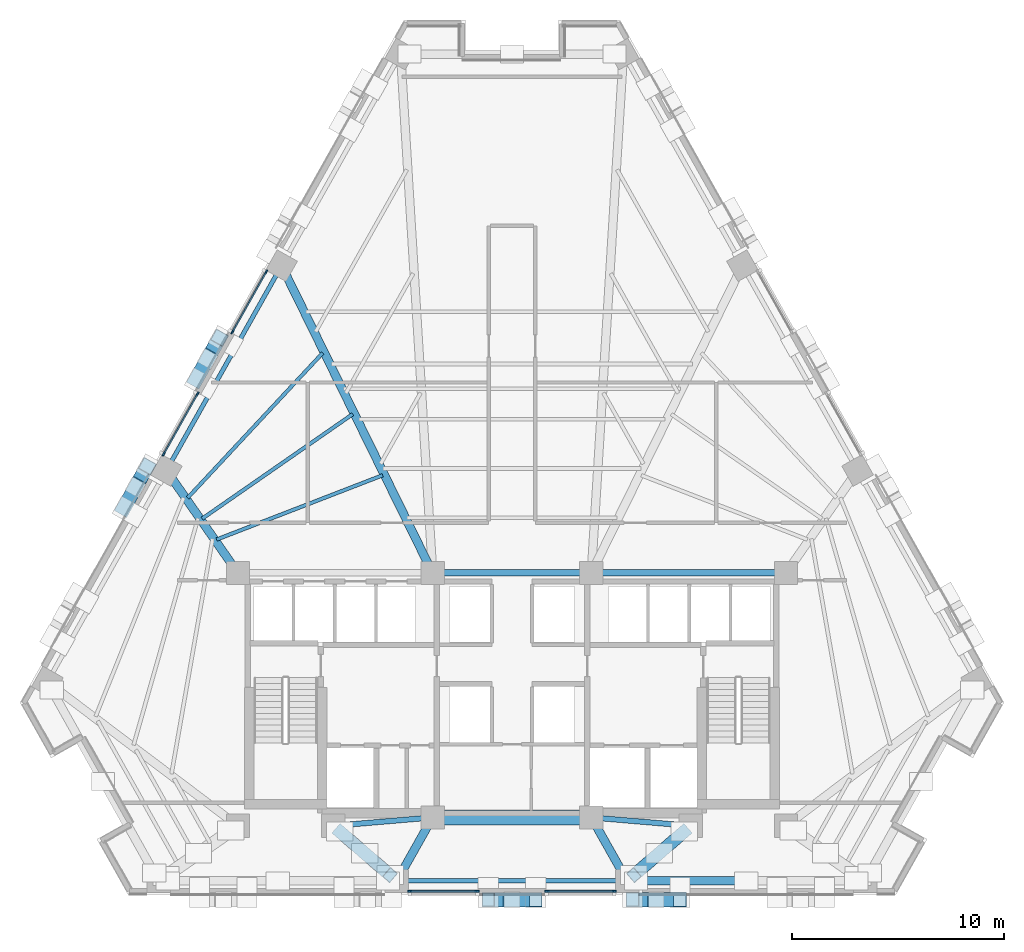
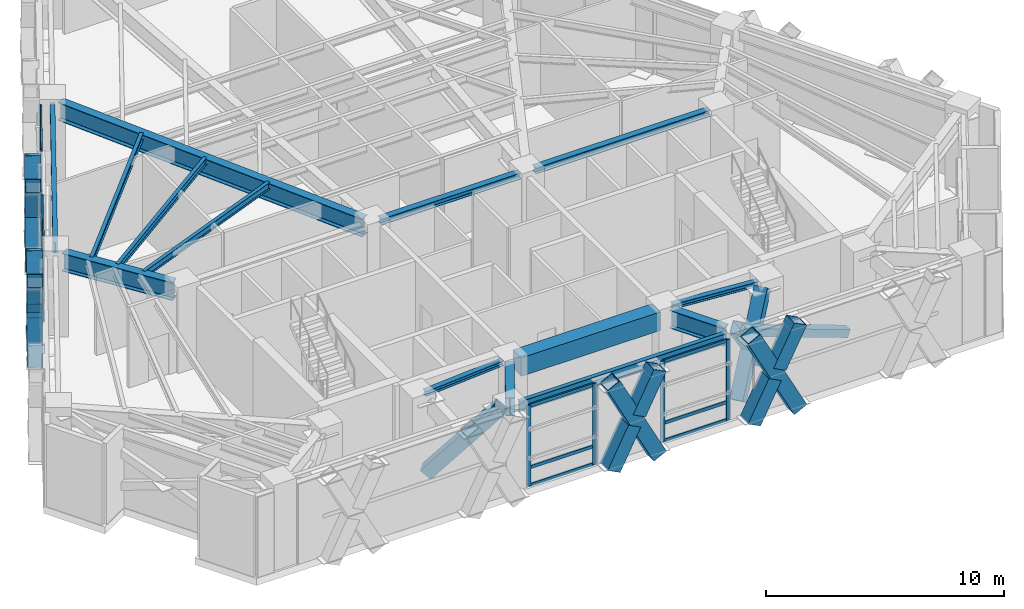
# One storey, part 2 of 12: 37 members, 14 beams, 4 elements without a shape of their own.
"""IFC4 building model written with IfcOpenShell, lengths in metres."""

import ifcopenshell
import ifcopenshell.guid

model = None  # the IFC model being written
_history = None  # IfcOwnerHistory: only IFC2X3 demands one
_inside = {}  # id of a spatial element -> (the spatial element, [elements in it])
_under = {}  # id of a project, library or spatial element -> (it, [spatial elements below it])
_declared = {}  # id of a project -> (the project, [libraries it declares])
_typed = {}  # id of a type object -> (the type object, [elements of that type])
_made_of = {}  # id of a material, layer set ... -> (it, [elements and type objects made of it])


def new_model(schema):
    """Start an empty IFC model of exactly this schema.

    Asked for "IFC4X3", IfcOpenShell would pick the latest addendum, in which some entities
    have other attributes; the version numbers below select the first issue.
    IFC2X3 requires an IfcOwnerHistory on every rooted entity: one is made here for all.
    """
    global model, _history
    if schema == "IFC4X3":
        model = ifcopenshell.file(schema_version=(4, 3, 0, 0))
    else:
        model = ifcopenshell.file(schema=schema)
    _inside.clear()
    _under.clear()
    _declared.clear()
    _typed.clear()
    _made_of.clear()
    _history = None
    if model.schema == "IFC2X3":
        org = make("IfcOrganization", Name="unknown")
        user = make(
            "IfcPersonAndOrganization",
            ThePerson=make("IfcPerson", FamilyName="unknown"),
            TheOrganization=org,
        )
        app = make(
            "IfcApplication",
            ApplicationDeveloper=org,
            Version="unknown",
            ApplicationFullName="unknown",
            ApplicationIdentifier="unknown",
        )
        _history = make(
            "IfcOwnerHistory",
            OwningUser=user,
            OwningApplication=app,
            ChangeAction="ADDED",
            CreationDate=0,
        )
    return model


def make(cls, **values):
    """One entity of the class cls with the attributes given. An attribute that is None is left unset."""
    return model.create_entity(
        cls, **{name: value for name, value in values.items() if value is not None}
    )


def rooted(cls, **values):
    """An entity with a GlobalId (a new one), such as an element, a storey or a relation."""
    return make(cls, GlobalId=ifcopenshell.guid.new(), OwnerHistory=_history, **values)


def si_unit(unit_type, name, prefix=None):
    """IfcSIUnit, for example si_unit("LENGTHUNIT", "METRE", prefix="MILLI")."""
    return make("IfcSIUnit", UnitType=unit_type, Prefix=prefix, Name=name)


def assignment(units):
    """IfcUnitAssignment: the units of a project."""
    return None if units is None else make("IfcUnitAssignment", Units=units)


def point(xyz):
    """IfcCartesianPoint."""
    return None if xyz is None else make("IfcCartesianPoint", Coordinates=xyz)


def direction(xyz):
    """IfcDirection."""
    return None if xyz is None else make("IfcDirection", DirectionRatios=xyz)


def frame(location, z_axis=None, x_axis=None):
    """IfcAxis2Placement3D, a coordinate frame: its origin and axes. An axis left out is left unset."""
    return make(
        "IfcAxis2Placement3D",
        Location=point(location),
        Axis=direction(z_axis),
        RefDirection=direction(x_axis),
    )


def frame_2d(location, x_axis=None):
    """IfcAxis2Placement2D, a coordinate frame in the plane: its origin and x axis."""
    return make(
        "IfcAxis2Placement2D", Location=point(location), RefDirection=direction(x_axis)
    )


def origin():
    """The frame at (0, 0, 0) with its axes left unset."""
    return frame((0.0, 0.0, 0.0))


def origin_2d():
    """The frame at (0, 0) in the plane with its x axis left unset."""
    return frame_2d((0.0, 0.0))


def place(relative_to, where):
    """IfcLocalPlacement: puts the frame where relative to a parent placement (None: the world)."""
    return make(
        "IfcLocalPlacement", PlacementRelTo=relative_to, RelativePlacement=where
    )


def context(
    kind, dimensions, precision=None, world=None, true_north=None, identifier=None
):
    """IfcGeometricRepresentationContext, for example the 3D "Model" context."""
    return make(
        "IfcGeometricRepresentationContext",
        ContextIdentifier=identifier,
        ContextType=kind,
        CoordinateSpaceDimension=dimensions,
        Precision=precision,
        WorldCoordinateSystem=world,
        TrueNorth=true_north,
    )


def subcontext(parent, identifier, kind, view, scale=None):
    """IfcGeometricRepresentationSubContext, for example "Body" below "Model"."""
    return make(
        "IfcGeometricRepresentationSubContext",
        ContextIdentifier=identifier,
        ContextType=kind,
        ParentContext=parent,
        TargetScale=scale,
        TargetView=view,
    )


def project(units=None, contexts=None):
    """IfcProject with its units and contexts."""
    return rooted(
        "IfcProject",
        Name="project",
        RepresentationContexts=contexts,
        UnitsInContext=assignment(units),
    )


def spatial(cls, under=None, at=None, **own):
    """A site, building, storey or space (cls), placed at a placement, below another one or the project."""
    s = rooted(cls, ObjectPlacement=at, **own)
    if under is not None:
        _under.setdefault(under.id(), (under, []))[1].append(s)
    return s


def profile(cls, at=None, kind="AREA", **sizes):
    """A parametric profile (cls). Its sizes go by their IFC names, for example OverallWidth=200.0."""
    return make(cls, ProfileType=kind, Position=at, **sizes)


def rectangle(**sizes):
    """IfcRectangleProfileDef."""
    return profile("IfcRectangleProfileDef", **sizes)


def hollow_rectangle(**sizes):
    """IfcRectangleHollowProfileDef."""
    return profile("IfcRectangleHollowProfileDef", **sizes)


def i_section(**sizes):
    """IfcIShapeProfileDef."""
    return profile("IfcIShapeProfileDef", **sizes)


def extrude(swept, where, along, depth):
    """IfcExtrudedAreaSolid: the profile swept, set in the frame where, extruded along a direction by depth."""
    return make(
        "IfcExtrudedAreaSolid",
        SweptArea=swept,
        Position=where,
        ExtrudedDirection=direction(along),
        Depth=depth,
    )


def shape(context_of_items, identifier, shape_type, items):
    """IfcShapeRepresentation: the items that make up one representation, for example the "Body"."""
    return make(
        "IfcShapeRepresentation",
        ContextOfItems=context_of_items,
        RepresentationIdentifier=identifier,
        RepresentationType=shape_type,
        Items=items,
    )


def material(Name=None, Category=None):
    """IfcMaterial."""
    return make("IfcMaterial", Name=Name, Category=Category)


def material_profile(
    of_material, cross_section, Name=None, Category=None, Priority=None
):
    """IfcMaterialProfile: a cross section and its material."""
    return make(
        "IfcMaterialProfile",
        Name=Name,
        Material=of_material,
        Profile=cross_section,
        Priority=Priority,
        Category=Category,
    )


def profile_set(profiles, Name=None, composite=None):
    """IfcMaterialProfileSet."""
    return make(
        "IfcMaterialProfileSet",
        Name=Name,
        MaterialProfiles=profiles,
        CompositeProfile=composite,
    )


def made_of(thing, what):
    """Note that an element or type object is made of a material, layer set ...; save() writes the relation."""
    if what is not None:
        _made_of.setdefault(what.id(), (what, []))[1].append(thing)
    return thing


def type_object(cls, material=None, **own):
    """A type object (cls), such as IfcWallType, which elements share."""
    return made_of(rooted(cls, **own), material)


def element(
    cls,
    number,
    at=None,
    inside=None,
    cuts=None,
    type_object=None,
    material=None,
    context=None,
    identifier="Body",
    shape_type=None,
    held_by="IfcProductDefinitionShape",
    body=None,
    shapes=None,
    **own,
):
    """One element of the class cls, such as IfcWall. Its Tag is "e" and its number.

    at: its placement. inside: the storey or other place that contains it. cuts: it is an
    opening in that element (IfcRelVoidsElement). A single representation is given by context,
    identifier, shape_type and body (its items); several are given by shapes. held_by: the class
    of the entity that holds the representations. save() writes the other relations.
    """
    e = rooted(cls, Tag="e%d" % number, ObjectPlacement=at, **own)
    if body is not None:
        shapes = [shape(context, identifier, shape_type, body)]
    if shapes is not None:
        e.Representation = make(held_by, Representations=shapes)
    if inside is not None:
        _inside.setdefault(inside.id(), (inside, []))[1].append(e)
    if cuts is not None:
        rooted(
            "IfcRelVoidsElement", RelatingBuildingElement=cuts, RelatedOpeningElement=e
        )
    if type_object is not None:
        _typed.setdefault(type_object.id(), (type_object, []))[1].append(e)
    return made_of(e, material)


def aggregate(whole, parts):
    """IfcRelAggregates: a whole, such as a stair, and the parts it consists of."""
    return rooted("IfcRelAggregates", RelatingObject=whole, RelatedObjects=parts)


def save(model, path):
    """Write the relations noted so far, then the file.

    IfcRelAggregates (storeys below a building ...), IfcRelContainedInSpatialStructure (elements
    in a storey), IfcRelDefinesByType, IfcRelAssociatesMaterial and IfcRelDeclares: one each for
    every whole, place, type object, material and project.
    """
    for whole, parts in _under.values():
        aggregate(whole, parts)
    for where, things in _inside.values():
        rooted(
            "IfcRelContainedInSpatialStructure",
            RelatedElements=things,
            RelatingStructure=where,
        )
    for kind, things in _typed.values():
        rooted("IfcRelDefinesByType", RelatedObjects=things, RelatingType=kind)
    for what, things in _made_of.values():
        rooted("IfcRelAssociatesMaterial", RelatedObjects=things, RelatingMaterial=what)
    for by, libraries in _declared.values():
        rooted("IfcRelDeclares", RelatingContext=by, RelatedDefinitions=libraries)
    model.write(path)


model = new_model("IFC4")

# Units and contexts
model_context = context("Model", 3, precision=1e-05, world=origin(), true_north=direction((0.0, 1.0)))
body_context = subcontext(model_context, "Body", "Model", "MODEL_VIEW")
ifc_project = project(units=[si_unit("LENGTHUNIT", "METRE"), si_unit("AREAUNIT", "SQUARE_METRE"), si_unit("VOLUMEUNIT", "CUBIC_METRE"), si_unit("PLANEANGLEUNIT", "RADIAN"), si_unit("MASSUNIT", "GRAM", prefix="KILO")], contexts=[model_context])

# Site, building, storey
site_placement = place(None, origin())
site = spatial("IfcSite", under=ifc_project, at=site_placement, CompositionType="ELEMENT")
building_placement = place(site_placement, origin())
building = spatial("IfcBuilding", under=site, at=building_placement, Name="Quenlor Broadcast Tower", CompositionType="ELEMENT")
storey_placement = place(building_placement, frame((0.0, 0.0, 90.60009765625)))
storey = spatial("IfcBuildingStorey", under=building, at=storey_placement, Name="L24", CompositionType="ELEMENT", Elevation=90.60009765625)

# Member
ifc_material_1 = material(Name="Steel S355", Category="steel")
ifc_material_profile_1 = material_profile(ifc_material_1, hollow_rectangle(XDim=0.39990234375, YDim=0.39990234375, WallThickness=0.02197265625, at=origin_2d()))
ifc_profile_set_1 = profile_set([ifc_material_profile_1], Name="Steel S355 RHS400x400x22")
member_type_1 = type_object("IfcMemberType", Name="Belt Truss Diagonal Chord Steel S355 RHS400x22", PredefinedType="CHORD", material=ifc_profile_set_1)
member_1_placement = place(storey_placement, frame((5.86328125, -19.35009765625, 3.929931640625), z_axis=(0.941376127779, 0.0, -0.337358838699), x_axis=(0.0, 1.0, 0.0)))
element("IfcMember", 1, at=member_1_placement, inside=storey, type_object=member_type_1, Name="L24 Belt Truss Split Chord 3B1", PredefinedType="CHORD", context=body_context, shape_type="SweptSolid", body=[
    extrude(hollow_rectangle(XDim=0.39990234375, YDim=0.39990234375, WallThickness=0.02197265625, at=origin_2d()), origin(), (0.0, 0.0, 1.0), 5.338623046875),
])

# Curtain wall, members
ifc_material_2 = material(Name="Architectural Terracotta and Low-E Glazing", Category="masonry")
curtain_wall_type = type_object("IfcCurtainWallType", Name="Unitised Terracotta Curtain Wall System Z2", PredefinedType="NOTDEFINED", material=ifc_material_2)
curtain_wall_1_placement = place(storey_placement, origin())
curtain_wall_1 = element("IfcCurtainWall", 2, at=curtain_wall_1_placement, inside=storey, type_object=curtain_wall_type, Name="L24 Curtain Wall CW2 (L24-S-G1)", PredefinedType="NOTDEFINED")
ifc_material_3 = material(Name="Aluminium 6063-T6", Category="aluminium")
ifc_material_profile_2 = material_profile(ifc_material_3, rectangle(XDim=0.074951171875, YDim=0.199951171875, at=origin_2d()))
ifc_profile_set_2 = profile_set([ifc_material_profile_2], Name="Aluminium 6063-T6 MULL75x200")
member_type_2 = type_object("IfcMemberType", Name="CW2 Aluminium Mullion MULL_CW2", PredefinedType="MULLION", material=ifc_profile_set_2)
member_2_placement = place(storey_placement, frame((4.835693359375, -19.840087890625, 0.0), z_axis=(0.0, 0.0, 1.0), x_axis=(0.0, -1.0, 0.0)))
member_2 = element("IfcMember", 3, at=member_2_placement, type_object=member_type_2, Name="CW2 mullion 1", PredefinedType="MULLION", context=body_context, shape_type="SweptSolid", body=[
    extrude(rectangle(XDim=0.074951171875, YDim=0.199951171875, at=origin_2d()), origin(), (0.0, 0.0, 1.0), 4.14990234375),
])
member_3_placement = place(storey_placement, frame((1.64892578125, -19.840087890625, 0.0), z_axis=(0.0, 0.0, 1.0), x_axis=(0.0, -1.0, 0.0)))
member_3 = element("IfcMember", 4, at=member_3_placement, type_object=member_type_2, Name="CW2 mullion 2", PredefinedType="MULLION", context=body_context, shape_type="SweptSolid", body=[
    extrude(rectangle(XDim=0.074951171875, YDim=0.199951171875, at=origin_2d()), origin(), (0.0, 0.0, 1.0), 4.14990234375),
])

curtain_wall_2_placement = place(storey_placement, origin())
curtain_wall_2 = element("IfcCurtainWall", 5, at=curtain_wall_2_placement, inside=storey, type_object=curtain_wall_type, Name="L24 Curtain Wall CW2 (L24-S-G2)", PredefinedType="NOTDEFINED")
member_4_placement = place(storey_placement, frame((-1.64892578125, -19.840087890625, 0.0), z_axis=(0.0, 0.0, 1.0), x_axis=(0.0, -1.0, 0.0)))
member_4 = element("IfcMember", 6, at=member_4_placement, type_object=member_type_2, Name="CW2 mullion 1", PredefinedType="MULLION", context=body_context, shape_type="SweptSolid", body=[
    extrude(rectangle(XDim=0.074951171875, YDim=0.199951171875, at=origin_2d()), origin(), (0.0, 0.0, 1.0), 4.14990234375),
])
member_5_placement = place(storey_placement, frame((-4.835693359375, -19.840087890625, 0.0), z_axis=(0.0, 0.0, 1.0), x_axis=(0.0, -1.0, 0.0)))
member_5 = element("IfcMember", 7, at=member_5_placement, type_object=member_type_2, Name="CW2 mullion 2", PredefinedType="MULLION", context=body_context, shape_type="SweptSolid", body=[
    extrude(rectangle(XDim=0.074951171875, YDim=0.199951171875, at=origin_2d()), origin(), (0.0, 0.0, 1.0), 4.14990234375),
])

curtain_wall_3_placement = place(storey_placement, origin())
curtain_wall_3 = element("IfcCurtainWall", 8, at=curtain_wall_3_placement, inside=storey, type_object=curtain_wall_type, Name="L24 Curtain Wall CW2 (L24-NW-G1)", PredefinedType="NOTDEFINED")
member_6_placement = place(storey_placement, frame((-16.459228515625, 0.812744140625, 0.0), z_axis=(0.0, 0.0, 1.0), x_axis=(-0.871577133922, 0.490258400871, 0.0)))
member_6 = element("IfcMember", 9, at=member_6_placement, type_object=member_type_2, Name="CW2 mullion 1", PredefinedType="MULLION", context=body_context, shape_type="SweptSolid", body=[
    extrude(rectangle(XDim=0.074951171875, YDim=0.199951171875, at=origin_2d()), origin(), (0.0, 0.0, 1.0), 4.14990234375),
])
member_7_placement = place(storey_placement, frame((-14.856201171875, 3.66259765625, 0.0), z_axis=(0.0, 0.0, 1.0), x_axis=(-0.871577133922, 0.490258400871, 0.0)))
member_7 = element("IfcMember", 10, at=member_7_placement, type_object=member_type_2, Name="CW2 mullion 2", PredefinedType="MULLION", context=body_context, shape_type="SweptSolid", body=[
    extrude(rectangle(XDim=0.074951171875, YDim=0.199951171875, at=origin_2d()), origin(), (0.0, 0.0, 1.0), 4.14990234375),
])

curtain_wall_4_placement = place(storey_placement, origin())
curtain_wall_4 = element("IfcCurtainWall", 11, at=curtain_wall_4_placement, inside=storey, type_object=curtain_wall_type, Name="L24 Curtain Wall CW2 (L24-NW-G2)", PredefinedType="NOTDEFINED")
member_8_placement = place(storey_placement, frame((-13.21484375, 6.58056640625, 0.0), z_axis=(0.0, 0.0, 1.0), x_axis=(-0.871577133922, 0.490258400871, 0.0)))
member_8 = element("IfcMember", 12, at=member_8_placement, type_object=member_type_2, Name="CW2 mullion 1", PredefinedType="MULLION", context=body_context, shape_type="SweptSolid", body=[
    extrude(rectangle(XDim=0.074951171875, YDim=0.199951171875, at=origin_2d()), origin(), (0.0, 0.0, 1.0), 4.14990234375),
])
member_9_placement = place(storey_placement, frame((-11.611572265625, 9.430419921875, 0.0), z_axis=(0.0, 0.0, 1.0), x_axis=(-0.871577133922, 0.490258400871, 0.0)))
member_9 = element("IfcMember", 13, at=member_9_placement, type_object=member_type_2, Name="CW2 mullion 2", PredefinedType="MULLION", context=body_context, shape_type="SweptSolid", body=[
    extrude(rectangle(XDim=0.074951171875, YDim=0.199951171875, at=origin_2d()), origin(), (0.0, 0.0, 1.0), 4.14990234375),
])

# Member
ifc_material_4 = material(Name="Aluminium 6063-T6", Category="aluminium")
ifc_material_profile_3 = material_profile(ifc_material_4, rectangle(XDim=0.074951171875, YDim=0.1650390625, at=origin_2d()))
ifc_profile_set_3 = profile_set([ifc_material_profile_3], Name="Aluminium 6063-T6 TRAN75x165")
member_type_3 = type_object("IfcMemberType", Name="CW2 Aluminium Transom TRAN_CW2", PredefinedType="USERDEFINED", material=ifc_profile_set_3)
member_10_placement = place(storey_placement, frame((4.798095703125, -19.840087890625, 0.037353515625), z_axis=(-1.0, 0.0, 0.0), x_axis=(0.0, -1.0, 0.0)))
member_10 = element("IfcMember", 14, at=member_10_placement, type_object=member_type_3, Name="CW2 transom 1.1", ObjectType="TRANSOM", PredefinedType="USERDEFINED", context=body_context, shape_type="SweptSolid", body=[
    extrude(rectangle(XDim=0.074951171875, YDim=0.1650390625, at=origin_2d()), origin(), (0.0, 0.0, 1.0), 3.111572265625),
])

member_11_placement = place(storey_placement, frame((4.798095703125, -19.840087890625, 0.949951171875), z_axis=(-1.0, 0.0, 0.0), x_axis=(0.0, -1.0, 0.0)))
member_11 = element("IfcMember", 15, at=member_11_placement, type_object=member_type_3, Name="CW2 transom 1.2", ObjectType="TRANSOM", PredefinedType="USERDEFINED", context=body_context, shape_type="SweptSolid", body=[
    extrude(rectangle(XDim=0.074951171875, YDim=0.1650390625, at=origin_2d()), origin(), (0.0, 0.0, 1.0), 3.111572265625),
])

member_12_placement = place(storey_placement, frame((4.798095703125, -19.840087890625, 4.1123046875), z_axis=(-1.0, 0.0, 0.0), x_axis=(0.0, -1.0, 0.0)))
member_12 = element("IfcMember", 16, at=member_12_placement, type_object=member_type_3, Name="CW2 transom 1.3", ObjectType="TRANSOM", PredefinedType="USERDEFINED", context=body_context, shape_type="SweptSolid", body=[
    extrude(rectangle(XDim=0.074951171875, YDim=0.1650390625, at=origin_2d()), origin(), (0.0, 0.0, 1.0), 3.111572265625),
])

aggregate(curtain_wall_1, [member_2, member_3, member_10, member_11, member_12])

member_13_placement = place(storey_placement, frame((-1.6865234375, -19.840087890625, 0.037353515625), z_axis=(-1.0, 0.0, 0.0), x_axis=(0.0, -1.0, 0.0)))
member_13 = element("IfcMember", 17, at=member_13_placement, type_object=member_type_3, Name="CW2 transom 1.1", ObjectType="TRANSOM", PredefinedType="USERDEFINED", context=body_context, shape_type="SweptSolid", body=[
    extrude(rectangle(XDim=0.074951171875, YDim=0.1650390625, at=origin_2d()), origin(), (0.0, 0.0, 1.0), 3.111572265625),
])

member_14_placement = place(storey_placement, frame((-1.6865234375, -19.840087890625, 0.949951171875), z_axis=(-1.0, 0.0, 0.0), x_axis=(0.0, -1.0, 0.0)))
member_14 = element("IfcMember", 18, at=member_14_placement, type_object=member_type_3, Name="CW2 transom 1.2", ObjectType="TRANSOM", PredefinedType="USERDEFINED", context=body_context, shape_type="SweptSolid", body=[
    extrude(rectangle(XDim=0.074951171875, YDim=0.1650390625, at=origin_2d()), origin(), (0.0, 0.0, 1.0), 3.111572265625),
])

member_15_placement = place(storey_placement, frame((-1.6865234375, -19.840087890625, 4.1123046875), z_axis=(-1.0, 0.0, 0.0), x_axis=(0.0, -1.0, 0.0)))
member_15 = element("IfcMember", 19, at=member_15_placement, type_object=member_type_3, Name="CW2 transom 1.3", ObjectType="TRANSOM", PredefinedType="USERDEFINED", context=body_context, shape_type="SweptSolid", body=[
    extrude(rectangle(XDim=0.074951171875, YDim=0.1650390625, at=origin_2d()), origin(), (0.0, 0.0, 1.0), 3.111572265625),
])

aggregate(curtain_wall_2, [member_4, member_5, member_13, member_14, member_15])

member_16_placement = place(storey_placement, frame((-16.44091796875, 0.845458984375, 0.037353515625), z_axis=(0.490268495489, 0.871571455665, 0.0), x_axis=(-0.871571455665, 0.490268495489, 0.0)))
member_16 = element("IfcMember", 20, at=member_16_placement, type_object=member_type_3, Name="CW2 transom 1.1", ObjectType="TRANSOM", PredefinedType="USERDEFINED", context=body_context, shape_type="SweptSolid", body=[
    extrude(rectangle(XDim=0.074951171875, YDim=0.1650390625, at=origin_2d()), origin(), (0.0, 0.0, 1.0), 3.195068359375),
])

member_17_placement = place(storey_placement, frame((-16.44091796875, 0.845458984375, 0.949951171875), z_axis=(0.490268495489, 0.871571455665, 0.0), x_axis=(-0.871571455665, 0.490268495489, 0.0)))
member_17 = element("IfcMember", 21, at=member_17_placement, type_object=member_type_3, Name="CW2 transom 1.2", ObjectType="TRANSOM", PredefinedType="USERDEFINED", context=body_context, shape_type="SweptSolid", body=[
    extrude(rectangle(XDim=0.074951171875, YDim=0.1650390625, at=origin_2d()), origin(), (0.0, 0.0, 1.0), 3.195068359375),
])

member_18_placement = place(storey_placement, frame((-16.44091796875, 0.845458984375, 4.1123046875), z_axis=(0.490268495489, 0.871571455665, 0.0), x_axis=(-0.871571455665, 0.490268495489, 0.0)))
member_18 = element("IfcMember", 22, at=member_18_placement, type_object=member_type_3, Name="CW2 transom 1.3", ObjectType="TRANSOM", PredefinedType="USERDEFINED", context=body_context, shape_type="SweptSolid", body=[
    extrude(rectangle(XDim=0.074951171875, YDim=0.1650390625, at=origin_2d()), origin(), (0.0, 0.0, 1.0), 3.195068359375),
])

aggregate(curtain_wall_3, [member_6, member_7, member_16, member_17, member_18])

member_19_placement = place(storey_placement, frame((-13.196533203125, 6.61328125, 0.037353515625), z_axis=(0.490268495489, 0.871571455665, 0.0), x_axis=(-0.871571455665, 0.490268495489, 0.0)))
member_19 = element("IfcMember", 23, at=member_19_placement, type_object=member_type_3, Name="CW2 transom 1.1", ObjectType="TRANSOM", PredefinedType="USERDEFINED", context=body_context, shape_type="SweptSolid", body=[
    extrude(rectangle(XDim=0.074951171875, YDim=0.1650390625, at=origin_2d()), origin(), (0.0, 0.0, 1.0), 3.195068359375),
])

member_20_placement = place(storey_placement, frame((-13.196533203125, 6.61328125, 0.949951171875), z_axis=(0.490268495489, 0.871571455665, 0.0), x_axis=(-0.871571455665, 0.490268495489, 0.0)))
member_20 = element("IfcMember", 24, at=member_20_placement, type_object=member_type_3, Name="CW2 transom 1.2", ObjectType="TRANSOM", PredefinedType="USERDEFINED", context=body_context, shape_type="SweptSolid", body=[
    extrude(rectangle(XDim=0.074951171875, YDim=0.1650390625, at=origin_2d()), origin(), (0.0, 0.0, 1.0), 3.195068359375),
])

member_21_placement = place(storey_placement, frame((-13.196533203125, 6.61328125, 4.1123046875), z_axis=(0.490268495489, 0.871571455665, 0.0), x_axis=(-0.871571455665, 0.490268495489, 0.0)))
member_21 = element("IfcMember", 25, at=member_21_placement, type_object=member_type_3, Name="CW2 transom 1.3", ObjectType="TRANSOM", PredefinedType="USERDEFINED", context=body_context, shape_type="SweptSolid", body=[
    extrude(rectangle(XDim=0.074951171875, YDim=0.1650390625, at=origin_2d()), origin(), (0.0, 0.0, 1.0), 3.195068359375),
])

aggregate(curtain_wall_4, [member_8, member_9, member_19, member_20, member_21])

# Beams
ifc_material_5 = material(Name="Concrete C50/60", Category="concrete")
ifc_material_profile_4 = material_profile(ifc_material_5, rectangle(XDim=0.699951171875, YDim=0.949951171875, at=origin_2d()))
ifc_profile_set_4 = profile_set([ifc_material_profile_4], Name="Concrete C50/60 RCB700x950")
beam_type_1 = type_object("IfcBeamType", Name="Core Coupling Beam Concrete C50/60 700x950", PredefinedType="BEAM", material=ifc_profile_set_4)
beam_1_placement = place(storey_placement, frame((-3.389892578125, -16.35009765625, 3.6748046875), z_axis=(1.0, 0.0, 0.0), x_axis=(0.0, 1.0, 0.0)))
element("IfcBeam", 26, at=beam_1_placement, inside=storey, type_object=beam_type_1, Name="L24 Core Coupling Beam 6", PredefinedType="BEAM", context=body_context, shape_type="SweptSolid", body=[
    extrude(rectangle(XDim=0.699951171875, YDim=0.949951171875, at=origin_2d()), origin(), (0.0, 0.0, 1.0), 6.77978515625),
])
ifc_material_6 = material(Name="Steel S355", Category="steel")
ifc_material_profile_5 = material_profile(ifc_material_6, i_section(OverallWidth=0.304931640625, OverallDepth=0.30810546875, WebThickness=0.010009765625, FlangeThickness=0.015380859375, FilletRadius=0.0166015625, at=origin_2d()))
ifc_profile_set_5 = profile_set([ifc_material_profile_5], Name="Steel S355 310UC96.8")
beam_type_2 = type_object("IfcBeamType", Name="Core Header Beam Steel S355 310UC96.8", PredefinedType="BEAM", material=ifc_profile_set_5)
beam_2_placement = place(storey_placement, frame((-3.389892578125, -4.800048828125, 3.995849609375), z_axis=(1.0, 0.0, 0.0), x_axis=(0.0, 1.0, 0.0)))
element("IfcBeam", 27, at=beam_2_placement, inside=storey, type_object=beam_type_2, Name="L24 Core Header Beam 2", PredefinedType="BEAM", context=body_context, shape_type="SweptSolid", body=[
    extrude(i_section(OverallWidth=0.304931640625, OverallDepth=0.30810546875, WebThickness=0.010009765625, FlangeThickness=0.015380859375, FilletRadius=0.0166015625, at=origin_2d()), origin(), (0.0, 0.0, 1.0), 6.77978515625),
])
ifc_material_7 = material(Name="Steel S355", Category="steel")
ifc_material_profile_6 = material_profile(ifc_material_7, i_section(OverallWidth=0.25390625, OverallDepth=0.25390625, WebThickness=0.008544921875, FlangeThickness=0.01416015625, FilletRadius=0.013916015625, at=origin_2d()))
ifc_profile_set_6 = profile_set([ifc_material_profile_6], Name="Steel S355 250UC72.9")
beam_type_3 = type_object("IfcBeamType", Name="Core Opening Lintel Beam Steel S355 250UC72.9", PredefinedType="LINTEL", material=ifc_profile_set_6)
for number, where, z_axis, x_axis, name in (
    (28, (-8.09130859375, -16.719482421875, 4.02294921875), (0.996399763903, 0.084779186679, 0.0), (-0.084779186679, 0.996399763903, 0.0), "L24 Core Opening Lintel Beam 4"),
    (29, (4.108642578125, -16.380615234375, 4.02294921875), (0.996399763903, -0.084779186679, 0.0), (0.084779186679, 0.996399763903, 0.0), "L24 Core Opening Lintel Beam 5"),
):
    element("IfcBeam", number, at=place(storey_placement, frame(where, z_axis=z_axis, x_axis=x_axis)), inside=storey, type_object=beam_type_3, Name=name, PredefinedType="LINTEL", context=body_context, shape_type="SweptSolid", body=[
        extrude(i_section(OverallWidth=0.25390625, OverallDepth=0.25390625, WebThickness=0.008544921875, FlangeThickness=0.01416015625, FilletRadius=0.013916015625, at=origin_2d()), origin(), (0.0, 0.0, 1.0), 3.9970703125),
    ])
ifc_material_8 = material(Name="Steel S355", Category="steel")
ifc_material_profile_7 = material_profile(ifc_material_8, i_section(OverallWidth=0.306884765625, OverallDepth=0.314697265625, WebThickness=0.011962890625, FlangeThickness=0.018798828125, FilletRadius=0.0166015625, at=origin_2d()))
ifc_profile_set_7 = profile_set([ifc_material_profile_7], Name="Steel S355 310UC118")
beam_type_4 = type_object("IfcBeamType", Name="Core Tie Beam Steel S355 310UC118", PredefinedType="BEAM", material=ifc_profile_set_7)
beam_3_placement = place(storey_placement, frame((4.110107421875, -4.800048828125, 3.99267578125), z_axis=(1.0, 0.0, 0.0), x_axis=(0.0, 1.0, 0.0)))
element("IfcBeam", 30, at=beam_3_placement, inside=storey, type_object=beam_type_4, Name="L24 Core Tie Beam 3", PredefinedType="BEAM", context=body_context, shape_type="SweptSolid", body=[
    extrude(i_section(OverallWidth=0.306884765625, OverallDepth=0.314697265625, WebThickness=0.011962890625, FlangeThickness=0.018798828125, FilletRadius=0.0166015625, at=origin_2d()), origin(), (0.0, 0.0, 1.0), 8.47998046875),
])

# Members
ifc_material_9 = material(Name="Steel S355", Category="steel")
ifc_material_profile_8 = material_profile(ifc_material_9, hollow_rectangle(XDim=0.60009765625, YDim=0.60009765625, WallThickness=0.031982421875, at=origin_2d()))
ifc_profile_set_8 = profile_set([ifc_material_profile_8], Name="Steel S355 RHS600x600x32")
member_type_4 = type_object("IfcMemberType", Name="Lower Outrigger Truss Strut Steel S355 RHS600x32", PredefinedType="STRUT", material=ifc_profile_set_8)
for number, where, z_axis, x_axis, name in (
    (31, (-8.1474609375, -17.01171875, 0.199951171875), (0.488503238125, -0.422386636177, 0.763514319394), (0.654060993139, 0.756441813528, 0.0), "L24 Outrigger Continuous Strut 3A"),
    (32, (8.1474609375, -17.01171875, 0.199951171875), (-0.488503238125, -0.422386636177, 0.763514319394), (0.654060993139, -0.756441813528, 0.0), "L24 Outrigger Continuous Strut 4A"),
):
    element("IfcMember", number, at=place(storey_placement, frame(where, z_axis=z_axis, x_axis=x_axis)), inside=storey, type_object=member_type_4, Name=name, PredefinedType="STRUT", context=body_context, shape_type="SweptSolid", body=[
        extrude(hollow_rectangle(XDim=0.60009765625, YDim=0.60009765625, WallThickness=0.031982421875, at=origin_2d()), origin(), (0.0, 0.0, 1.0), 4.88525390625),
    ])
for number, where, z_axis, x_axis, name in (
    (33, (8.1474609375, -17.01171875, 3.929931640625), (-0.488572495158, -0.422421043642, -0.763450966902), (0.654038422447, -0.756461328795, 0.0), "L24 Outrigger Split Strut 4B1"),
    (34, (6.8173828125, -18.16162109375, 1.85107421875), (-0.488486547952, -0.422444340753, -0.763493072291), (0.654124904388, -0.756386547645, 0.0), "L24 Outrigger Split Strut 4B2"),
):
    element("IfcMember", number, at=place(storey_placement, frame(where, z_axis=z_axis, x_axis=x_axis)), inside=storey, type_object=member_type_4, Name=name, PredefinedType="STRUT", context=body_context, shape_type="SweptSolid", body=[
        extrude(hollow_rectangle(XDim=0.60009765625, YDim=0.60009765625, WallThickness=0.031982421875, at=origin_2d()), origin(), (0.0, 0.0, 1.0), 2.16259765625),
    ])

# Beams
ifc_material_10 = material(Name="Steel S355", Category="steel")
ifc_material_profile_9 = material_profile(ifc_material_10, i_section(OverallWidth=0.39990234375, OverallDepth=0.924072265625, WebThickness=0.01611328125, FlangeThickness=0.028076171875, FilletRadius=0.01611328125, at=origin_2d()))
ifc_profile_set_9 = profile_set([ifc_material_profile_9], Name="Steel S355 900WB282")
beam_type_5 = type_object("IfcBeamType", Name="Outrigger Level Collector Girder Steel S355 900WB282", PredefinedType="BEAM", material=ifc_profile_set_9)
for number, where, z_axis, x_axis, name in (
    (35, (-5.24169921875, -18.992919921875, 3.68798828125), (0.491526879548, 0.870862403989, 0.0), (-0.870862403989, 0.491526879548, 0.0), "L24 Primary Radial Beam S2"),
    (36, (5.24169921875, -18.992919921875, 3.68798828125), (-0.491526879548, 0.870862403989, 0.0), (-0.870862403989, -0.491526879548, 0.0), "L24 Primary Radial Beam S3"),
):
    element("IfcBeam", number, at=place(storey_placement, frame(where, z_axis=z_axis, x_axis=x_axis)), inside=storey, type_object=beam_type_5, Name=name, PredefinedType="BEAM", context=body_context, shape_type="SweptSolid", body=[
        extrude(i_section(OverallWidth=0.39990234375, OverallDepth=0.924072265625, WebThickness=0.01611328125, FlangeThickness=0.028076171875, FilletRadius=0.01611328125, at=origin_2d()), origin(), (0.0, 0.0, 1.0), 2.65478515625),
    ])
beam_4_placement = place(storey_placement, frame((-10.7060546875, 9.351806640625, 3.68798828125), z_axis=(0.441130328176, -0.897443053103, 0.0), x_axis=(0.897443053103, 0.441130328176, 0.0)))
element("IfcBeam", 37, at=beam_4_placement, inside=storey, type_object=beam_type_5, Name="L24 Primary Radial Beam NW2", PredefinedType="BEAM", context=body_context, shape_type="SweptSolid", body=[
    extrude(i_section(OverallWidth=0.39990234375, OverallDepth=0.924072265625, WebThickness=0.01611328125, FlangeThickness=0.028076171875, FilletRadius=0.01611328125, at=origin_2d()), origin(), (0.0, 0.0, 1.0), 15.38916015625),
])
beam_5_placement = place(storey_placement, frame((-16.095458984375, -0.293212890625, 3.68798828125), z_axis=(0.572337599985, -0.820018092266, 0.0), x_axis=(0.820018092266, 0.572337599985, 0.0)))
element("IfcBeam", 38, at=beam_5_placement, inside=storey, type_object=beam_type_5, Name="L24 Primary Radial Beam NW3", PredefinedType="BEAM", context=body_context, shape_type="SweptSolid", body=[
    extrude(i_section(OverallWidth=0.39990234375, OverallDepth=0.924072265625, WebThickness=0.01611328125, FlangeThickness=0.028076171875, FilletRadius=0.01611328125, at=origin_2d()), origin(), (0.0, 0.0, 1.0), 5.11572265625),
])

# Members
ifc_material_11 = material(Name="Steel S355", Category="steel")
ifc_material_profile_10 = material_profile(ifc_material_11, hollow_rectangle(XDim=0.679931640625, YDim=0.679931640625, WallThickness=0.030029296875, at=origin_2d()))
ifc_profile_set_10 = profile_set([ifc_material_profile_10], Name="Steel S355 RHS680x680x30")
member_type_5 = type_object("IfcMemberType", Name="Perimeter Diagonal Lattice Brace Z2 Steel S355 RHS680x30", PredefinedType="BRACE", material=ifc_profile_set_10)
member_22_placement = place(storey_placement, frame((7.940185546875, -20.235107421875, -0.1201171875), z_axis=(-0.454513559564, 0.0, 0.89073981845), x_axis=(0.0, -1.0, 0.0)))
element("IfcMember", 39, at=member_22_placement, inside=storey, type_object=member_type_5, Name="L24 Perimeter Diamond Lattice S-C2XA", PredefinedType="BRACE", context=body_context, shape_type="SweptSolid", body=[
    extrude(hollow_rectangle(XDim=0.679931640625, YDim=0.679931640625, WallThickness=0.030029296875, at=origin_2d()), origin(), (0.0, 0.0, 1.0), 4.939697265625),
])
for number, where, z_axis, x_axis, name in (
    (40, (5.695068359375, -20.235107421875, -0.1201171875), (0.454545137754, 0.0, 0.890723704492), (0.0, 1.0, 0.0), "L24 Perimeter Diamond Lattice S-C2XB1"),
    (41, (6.93115234375, -20.235107421875, 2.302490234375), (0.454545137754, 0.0, 0.890723704492), (0.0, 1.0, 0.0), "L24 Perimeter Diamond Lattice S-C2XB2"),
):
    element("IfcMember", number, at=place(storey_placement, frame(where, z_axis=z_axis, x_axis=x_axis)), inside=storey, type_object=member_type_5, Name=name, PredefinedType="BRACE", context=body_context, shape_type="SweptSolid", body=[
        extrude(hollow_rectangle(XDim=0.679931640625, YDim=0.679931640625, WallThickness=0.030029296875, at=origin_2d()), origin(), (0.0, 0.0, 1.0), 2.219970703125),
    ])
member_23_placement = place(storey_placement, frame((1.12255859375, -20.235107421875, -0.1201171875), z_axis=(-0.454513559564, 0.0, 0.89073981845), x_axis=(0.0, -1.0, 0.0)))
element("IfcMember", 42, at=member_23_placement, inside=storey, type_object=member_type_5, Name="L24 Perimeter Diamond Lattice S-C3XA", PredefinedType="BRACE", context=body_context, shape_type="SweptSolid", body=[
    extrude(hollow_rectangle(XDim=0.679931640625, YDim=0.679931640625, WallThickness=0.030029296875, at=origin_2d()), origin(), (0.0, 0.0, 1.0), 4.939697265625),
])
for number, where, z_axis, x_axis, name in (
    (43, (-1.12255859375, -20.235107421875, -0.1201171875), (0.454545137754, 0.0, 0.890723704492), (0.0, 1.0, 0.0), "L24 Perimeter Diamond Lattice S-C3XB1"),
    (44, (0.113525390625, -20.235107421875, 2.302490234375), (0.454545137754, 0.0, 0.890723704492), (0.0, 1.0, 0.0), "L24 Perimeter Diamond Lattice S-C3XB2"),
):
    element("IfcMember", number, at=place(storey_placement, frame(where, z_axis=z_axis, x_axis=x_axis)), inside=storey, type_object=member_type_5, Name=name, PredefinedType="BRACE", context=body_context, shape_type="SweptSolid", body=[
        extrude(hollow_rectangle(XDim=0.679931640625, YDim=0.679931640625, WallThickness=0.030029296875, at=origin_2d()), origin(), (0.0, 0.0, 1.0), 2.219970703125),
    ])
member_24_placement = place(storey_placement, frame((-18.35498046875, -1.751708984375, -0.1201171875), z_axis=(0.22659922963, 0.402761062871, 0.886812446556), x_axis=(-0.871532878923, 0.490337068716, 0.0)))
element("IfcMember", 45, at=member_24_placement, inside=storey, type_object=member_type_5, Name="L24 Perimeter Diamond Lattice NW-C2XA", PredefinedType="BRACE", context=body_context, shape_type="SweptSolid", body=[
    extrude(hollow_rectangle(XDim=0.679931640625, YDim=0.679931640625, WallThickness=0.030029296875, at=origin_2d()), origin(), (0.0, 0.0, 1.0), 4.96142578125),
])
for number, where, z_axis, x_axis, name in (
    (46, (-17.230712890625, 0.24658203125, -0.1201171875), (-0.226549837696, -0.402755267015, 0.886827697995), (0.871575537125, -0.490261239633, 0.0), "L24 Perimeter Diamond Lattice NW-C2XB1"),
    (47, (-17.849609375, -0.85302734375, 2.301513671875), (-0.226539850842, -0.40284695215, 0.88678860453), (0.871632445721, -0.490160055051, 0.0), "L24 Perimeter Diamond Lattice NW-C2XB2"),
):
    element("IfcMember", number, at=place(storey_placement, frame(where, z_axis=z_axis, x_axis=x_axis)), inside=storey, type_object=member_type_5, Name=name, PredefinedType="BRACE", context=body_context, shape_type="SweptSolid", body=[
        extrude(hollow_rectangle(XDim=0.679931640625, YDim=0.679931640625, WallThickness=0.030029296875, at=origin_2d()), origin(), (0.0, 0.0, 1.0), 2.230712890625),
    ])
member_25_placement = place(storey_placement, frame((-14.94189453125, 4.316162109375, -0.1201171875), z_axis=(0.226552548286, 0.402765553372, 0.886822333888), x_axis=(-0.871578380919, 0.490256183964, 0.0)))
element("IfcMember", 48, at=member_25_placement, inside=storey, type_object=member_type_5, Name="L24 Perimeter Diamond Lattice NW-C3XA", PredefinedType="BRACE", context=body_context, shape_type="SweptSolid", body=[
    extrude(hollow_rectangle(XDim=0.679931640625, YDim=0.679931640625, WallThickness=0.030029296875, at=origin_2d()), origin(), (0.0, 0.0, 1.0), 4.96142578125),
])
for number, where, z_axis, x_axis, name in (
    (49, (-13.81787109375, 6.314453125, -0.1201171875), (-0.226549837696, -0.402755267015, 0.886827697995), (0.871575537125, -0.490261239633, 0.0), "L24 Perimeter Diamond Lattice NW-C3XB1"),
    (50, (-14.436279296875, 5.214599609375, 2.301513671875), (-0.226653660987, -0.402745278817, 0.886805704961), (0.871474328146, -0.490441123258, 0.0), "L24 Perimeter Diamond Lattice NW-C3XB2"),
):
    element("IfcMember", number, at=place(storey_placement, frame(where, z_axis=z_axis, x_axis=x_axis)), inside=storey, type_object=member_type_5, Name=name, PredefinedType="BRACE", context=body_context, shape_type="SweptSolid", body=[
        extrude(hollow_rectangle(XDim=0.679931640625, YDim=0.679931640625, WallThickness=0.030029296875, at=origin_2d()), origin(), (0.0, 0.0, 1.0), 2.230712890625),
    ])

# Beams
ifc_material_12 = material(Name="Steel S355", Category="steel")
ifc_material_profile_11 = material_profile(ifc_material_12, i_section(OverallWidth=0.208984375, OverallDepth=0.5283203125, WebThickness=0.009521484375, FlangeThickness=0.01318359375, FilletRadius=0.013916015625, at=origin_2d()))
ifc_profile_set_11 = profile_set([ifc_material_profile_11], Name="Steel S355 530UB82.0")
beam_type_6 = type_object("IfcBeamType", Name="Perimeter Spandrel Beam Z2 Steel S355 530UB82.0", PredefinedType="SPANDREL", material=ifc_profile_set_11)
beam_6_placement = place(storey_placement, frame((-5.033203125, -19.35009765625, 3.8857421875), z_axis=(1.0, 0.0, 0.0), x_axis=(0.0, 1.0, 0.0)))
element("IfcBeam", 51, at=beam_6_placement, inside=storey, type_object=beam_type_6, Name="L24 Spandrel Beam S2-S3", PredefinedType="SPANDREL", context=body_context, shape_type="SweptSolid", body=[
    extrude(i_section(OverallWidth=0.208984375, OverallDepth=0.5283203125, WebThickness=0.009521484375, FlangeThickness=0.01318359375, FilletRadius=0.013916015625, at=origin_2d()), origin(), (0.0, 0.0, 1.0), 10.06640625),
])
beam_7_placement = place(storey_placement, frame((-11.087890625, 9.3623046875, 3.8857421875), z_axis=(-0.49026462139, -0.871573634878, 0.0), x_axis=(0.871573634878, -0.49026462139, 0.0)))
element("IfcBeam", 52, at=beam_7_placement, inside=storey, type_object=beam_type_6, Name="L24 Spandrel Beam NW2-NW3", PredefinedType="SPANDREL", context=body_context, shape_type="SweptSolid", body=[
    extrude(i_section(OverallWidth=0.208984375, OverallDepth=0.5283203125, WebThickness=0.009521484375, FlangeThickness=0.01318359375, FilletRadius=0.013916015625, at=origin_2d()), origin(), (0.0, 0.0, 1.0), 10.28271484375),
])
ifc_material_13 = material(Name="Steel S355", Category="steel")
ifc_material_profile_12 = material_profile(ifc_material_13, i_section(OverallWidth=0.172119140625, OverallDepth=0.358642578125, WebThickness=0.008056640625, FlangeThickness=0.012939453125, FilletRadius=0.011474609375, at=origin_2d()))
ifc_profile_set_12 = profile_set([ifc_material_profile_12], Name="Steel S355 360UB56.7")
beam_type_7 = type_object("IfcBeamType", Name="Tower Composite Joist Z2-Z3 Steel S355 360UB56.7", PredefinedType="JOIST", material=ifc_profile_set_12)
beam_8_placement = place(storey_placement, frame((-13.95703125, -3.221435546875, 3.970703125), z_axis=(0.932542579586, 0.361060018916, 0.0), x_axis=(-0.361060018916, 0.932542579586, 0.0)))
element("IfcBeam", 53, at=beam_8_placement, inside=storey, type_object=beam_type_7, Name="L24 Secondary Composite Joist 7", PredefinedType="JOIST", context=body_context, shape_type="SweptSolid", body=[
    extrude(i_section(OverallWidth=0.172119140625, OverallDepth=0.358642578125, WebThickness=0.008056640625, FlangeThickness=0.012939453125, FilletRadius=0.011474609375, at=origin_2d()), origin(), (0.0, 0.0, 1.0), 8.416259765625),
])
beam_9_placement = place(storey_placement, frame((-14.641845703125, -2.236083984375, 3.970703125), z_axis=(0.821385737622, 0.570373097219, 0.0), x_axis=(-0.570373097219, 0.821385737622, 0.0)))
element("IfcBeam", 54, at=beam_9_placement, inside=storey, type_object=beam_type_7, Name="L24 Secondary Composite Joist 8", PredefinedType="JOIST", context=body_context, shape_type="SweptSolid", body=[
    extrude(i_section(OverallWidth=0.172119140625, OverallDepth=0.358642578125, WebThickness=0.008056640625, FlangeThickness=0.012939453125, FilletRadius=0.011474609375, at=origin_2d()), origin(), (0.0, 0.0, 1.0), 8.662109375),
])
beam_10_placement = place(storey_placement, frame((-15.3291015625, -1.254638671875, 3.970703125), z_axis=(0.681880655944, 0.73146344478, 0.0), x_axis=(-0.73146344478, 0.681880655944, 0.0)))
element("IfcBeam", 55, at=beam_10_placement, inside=storey, type_object=beam_type_7, Name="L24 Secondary Composite Joist 9", PredefinedType="JOIST", context=body_context, shape_type="SweptSolid", body=[
    extrude(i_section(OverallWidth=0.172119140625, OverallDepth=0.358642578125, WebThickness=0.008056640625, FlangeThickness=0.012939453125, FilletRadius=0.011474609375, at=origin_2d()), origin(), (0.0, 0.0, 1.0), 9.365234375),
])

save(model, "model.ifc")
